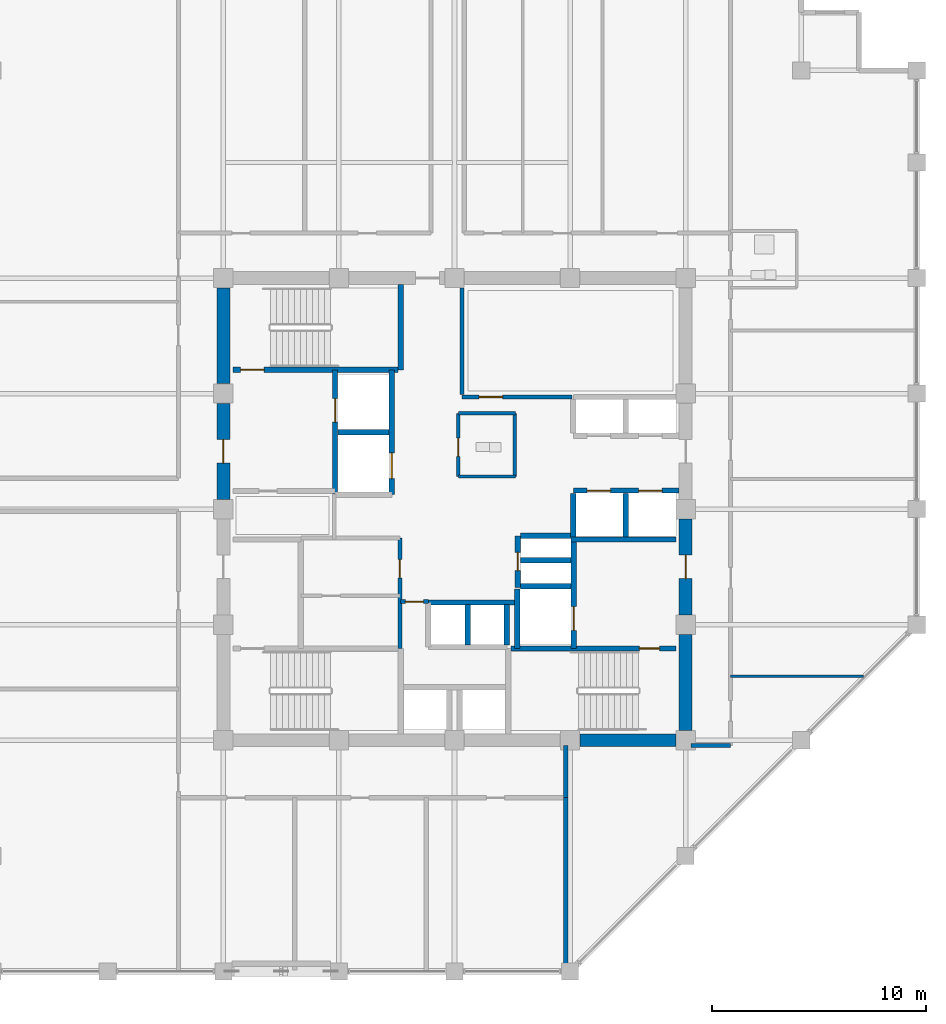
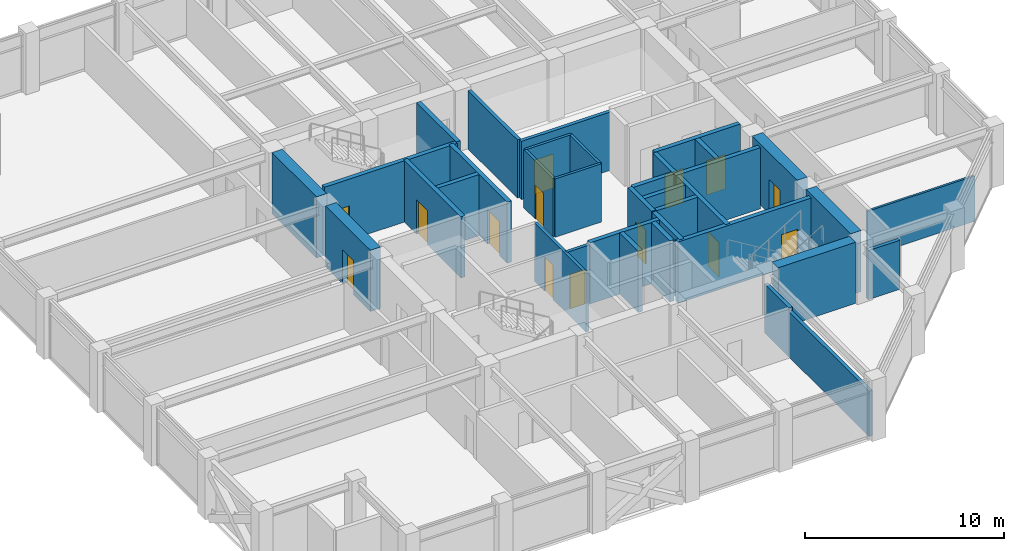
# One storey, part 28 of 32: 36 walls, 14 doors, 14 openings.
"""IFC4 building model written with IfcOpenShell, lengths in metres."""

from ifc_helpers import new_model, si_unit, direction, frame, frame_2d, origin, place, context, subcontext, project, spatial, rectangle, extrude, material, layer, layer_set, type_object, element, fill, save


model = new_model("IFC4")

# Units and contexts
model_context = context("Model", 3, precision=1e-05, world=origin(), true_north=direction((0.0, 1.0)))
body_context = subcontext(model_context, "Body", "Model", "MODEL_VIEW")
ifc_project = project(units=[si_unit("LENGTHUNIT", "METRE"), si_unit("AREAUNIT", "SQUARE_METRE"), si_unit("VOLUMEUNIT", "CUBIC_METRE"), si_unit("PLANEANGLEUNIT", "RADIAN"), si_unit("MASSUNIT", "GRAM", prefix="KILO")], contexts=[model_context])

# Site, building, storey
site_placement = place(None, origin())
site = spatial("IfcSite", under=ifc_project, at=site_placement, CompositionType="ELEMENT")
building_placement = place(site_placement, origin())
building = spatial("IfcBuilding", under=site, at=building_placement, Name="Surkhivell Harbour Commons", CompositionType="ELEMENT")
storey_placement = place(building_placement, frame((0.0, 0.0, 216.0)))
storey = spatial("IfcBuildingStorey", under=building, at=storey_placement, Name="L56", CompositionType="ELEMENT", Elevation=216.0)

# Wall
ifc_material_1 = material(Name="Concrete C60/75", Category="concrete")
ifc_layer_1 = layer(ifc_material_1, 0.60009765625)
ifc_layer_set_1 = layer_set([ifc_layer_1], Name="Concrete C60/75")
wall_type_1 = type_object("IfcWallType", Name="WAL-CORE-600", PredefinedType="SHEAR", material=ifc_layer_set_1)
wall_1_placement = place(storey_placement, frame((10.800048828125, -10.340087890625, 0.0), z_axis=(0.0, 0.0, 1.0), x_axis=(0.0, 1.0, 0.0)))
element("IfcWall", 1, at=wall_1_placement, inside=storey, type_object=wall_type_1, Name="L56 Core Shear Wall East 1", PredefinedType="SHEAR", context=body_context, shape_type="SweptSolid", body=[
    extrude(rectangle(XDim=4.47998046875, YDim=0.60009765625, at=frame_2d((2.239990234375, 0.0))), origin(), (0.0, 0.0, 1.0), 3.75),
])

# Wall, opening, door
wall_2_placement = place(storey_placement, frame((10.800048828125, -4.93994140625, 0.0), z_axis=(0.0, 0.0, 1.0), x_axis=(0.0, 1.0, 0.0)))
wall_2 = element("IfcWall", 2, at=wall_2_placement, inside=storey, type_object=wall_type_1, Name="L56 Core Shear Wall East 2", PredefinedType="SHEAR", context=body_context, shape_type="SweptSolid", body=[
    extrude(rectangle(XDim=4.47998046875, YDim=0.60009765625, at=frame_2d((2.239990234375, 0.0))), origin(), (0.0, 0.0, 1.0), 3.75),
])
opening_1_placement = place(wall_2_placement, frame((1.68994140625, 0.0, 0.0)))
opening_1 = element("IfcOpeningElement", 3, at=opening_1_placement, cuts=wall_2, Name="Opening ID-1", PredefinedType="OPENING", context=body_context, shape_type="SweptSolid", body=[
    extrude(rectangle(XDim=1.10009765625, YDim=2.10009765625, at=frame_2d((0.550048828125, 1.050048828125))), frame((0.0, 0.31005859375, 0.0), z_axis=(0.0, -1.0, 0.0), x_axis=(1.0, 0.0, 0.0)), (0.0, 0.0, 1.0), 0.6201171875),
])
ifc_material_2 = material(Name="Hardwood-veneered fire-rated door leaf", Category="wood")
door_type_1 = type_object("IfcDoorType", Name="DOR-FD120-1100", OperationType="NOTDEFINED", PredefinedType="DOOR", material=ifc_material_2)
door_1_placement = place(opening_1_placement, origin())
door_1 = element("IfcDoor", 4, at=door_1_placement, inside=storey, type_object=door_type_1, Name="L56 Firefighting Lobby 2 Corridor Door", OperationType="SINGLE_SWING_RIGHT", OverallHeight=2.10009765625, OverallWidth=1.10009765625, PredefinedType="DOOR", context=body_context, shape_type="SweptSolid", body=[
    extrude(rectangle(XDim=1.10009765625, YDim=2.10009765625, at=frame_2d((0.550048828125, 1.050048828125))), frame((0.0, 0.02490234375, 0.0), z_axis=(0.0, -1.0, 0.0), x_axis=(1.0, 0.0, 0.0)), (0.0, 0.0, 1.0), 0.050048828125),
])
fill(opening_1, door_1)

wall_3_placement = place(storey_placement, frame((-10.800048828125, 0.4599609375, 0.0), z_axis=(0.0, 0.0, 1.0), x_axis=(0.0, 1.0, 0.0)))
wall_3 = element("IfcWall", 5, at=wall_3_placement, inside=storey, type_object=wall_type_1, Name="L56 Core Shear Wall West 3", PredefinedType="SHEAR", context=body_context, shape_type="SweptSolid", body=[
    extrude(rectangle(XDim=4.47998046875, YDim=0.60009765625, at=frame_2d((2.239990234375, 0.0))), origin(), (0.0, 0.0, 1.0), 3.75),
])
opening_2_placement = place(wall_3_placement, frame((1.68994140625, 0.0, 0.0)))
opening_2 = element("IfcOpeningElement", 6, at=opening_2_placement, cuts=wall_3, Name="Opening ID-1", PredefinedType="OPENING", context=body_context, shape_type="SweptSolid", body=[
    extrude(rectangle(XDim=1.10009765625, YDim=2.10009765625, at=frame_2d((0.550048828125, 1.050048828125))), frame((0.0, 0.31005859375, 0.0), z_axis=(0.0, -1.0, 0.0), x_axis=(1.0, 0.0, 0.0)), (0.0, 0.0, 1.0), 0.6201171875),
])
door_2_placement = place(opening_2_placement, origin())
door_2 = element("IfcDoor", 7, at=door_2_placement, inside=storey, type_object=door_type_1, Name="L56 Firefighting Lobby 1 Corridor Door", OperationType="SINGLE_SWING_LEFT", OverallHeight=2.10009765625, OverallWidth=1.10009765625, PredefinedType="DOOR", context=body_context, shape_type="SweptSolid", body=[
    extrude(rectangle(XDim=1.10009765625, YDim=2.10009765625, at=frame_2d((0.550048828125, 1.050048828125))), frame((0.0, 0.02490234375, 0.0), z_axis=(0.0, -1.0, 0.0), x_axis=(1.0, 0.0, 0.0)), (0.0, 0.0, 1.0), 0.050048828125),
])
fill(opening_2, door_2)

# Walls
for number, where, z_axis, x_axis, name in (
    (8, (5.860107421875, -10.800048828125, 0.0), (0.0, 0.0, 1.0), (1.0, 0.0, 0.0), "L56 Core Shear Wall South 4"),
    (9, (-10.800048828125, 5.860107421875, 0.0), (0.0, 0.0, 1.0), (0.0, 1.0, 0.0), "L56 Core Shear Wall West 4"),
):
    element("IfcWall", number, at=place(storey_placement, frame(where, z_axis=z_axis, x_axis=x_axis)), inside=storey, type_object=wall_type_1, Name=name, PredefinedType="SHEAR", context=body_context, shape_type="SweptSolid", body=[
        extrude(rectangle(XDim=4.47998046875, YDim=0.60009765625, at=frame_2d((2.239990234375, 0.0))), origin(), (0.0, 0.0, 1.0), 3.75),
    ])
ifc_material_3 = material(Name="Moisture-resistant acoustic stud partition", Category="other")
ifc_layer_2 = layer(ifc_material_3, 0.125)
ifc_layer_set_2 = layer_set([ifc_layer_2], Name="Moisture-resistant acoustic stud partition")
wall_type_2 = type_object("IfcWallType", Name="WAL-INT-125", PredefinedType="PARTITIONING", material=ifc_layer_set_2)
wall_4_placement = place(storey_placement, frame((12.89990234375, -7.800048828125, 0.0), z_axis=(0.0, 0.0, 1.0), x_axis=(1.0, 0.0, 0.0)))
element("IfcWall", 10, at=wall_4_placement, inside=storey, type_object=wall_type_2, Name="L56 East Partition PBOT", PredefinedType="PARTITIONING", context=body_context, shape_type="SweptSolid", body=[
    extrude(rectangle(XDim=6.21533203125, YDim=0.125, at=frame_2d((3.107666015625, 0.0))), origin(), (0.0, 0.0, 1.0), 2.780029296875),
])
ifc_material_4 = material(Name="Twin-stud acoustic fireboard partition", Category="other")
ifc_layer_3 = layer(ifc_material_4, 0.14990234375)
ifc_layer_set_3 = layer_set([ifc_layer_3], Name="Twin-stud acoustic fireboard partition")
wall_type_3 = type_object("IfcWallType", Name="WAL-INT-150", PredefinedType="PARTITIONING", material=ifc_layer_set_3)
wall_5_placement = place(storey_placement, frame((2.820068359375, 1.52001953125, 0.0), z_axis=(0.0, 0.0, 1.0), x_axis=(0.0, 1.0, 0.0)))
element("IfcWall", 11, at=wall_5_placement, inside=storey, type_object=wall_type_3, Name="L56 Core Accessible WC East Wall", PredefinedType="PARTITIONING", context=body_context, shape_type="SweptSolid", body=[
    extrude(rectangle(XDim=2.9599609375, YDim=0.14990234375, at=frame_2d((1.47998046875, 0.0))), origin(), (0.0, 0.0, 1.0), 3.570068359375),
])
for number, where, z_axis, x_axis, name in (
    (12, (0.179931640625, 4.47998046875, 0.0), (0.0, 0.0, 1.0), (1.0, 0.0, 0.0), "L56 Core Accessible WC North Wall"),
    (13, (0.179931640625, 1.52001953125, 0.0), (0.0, 0.0, 1.0), (1.0, 0.0, 0.0), "L56 Core Accessible WC South Wall"),
):
    element("IfcWall", number, at=place(storey_placement, frame(where, z_axis=z_axis, x_axis=x_axis)), inside=storey, type_object=wall_type_3, Name=name, PredefinedType="PARTITIONING", context=body_context, shape_type="SweptSolid", body=[
        extrude(rectangle(XDim=2.670166015625, YDim=0.14990234375, at=frame_2d((1.3349609375, 0.0))), origin(), (0.0, 0.0, 1.0), 3.570068359375),
    ])

# Wall, opening, door
wall_6_placement = place(storey_placement, frame((0.179931640625, 1.52001953125, 0.0), z_axis=(0.0, 0.0, 1.0), x_axis=(0.0, 1.0, 0.0)))
wall_6 = element("IfcWall", 14, at=wall_6_placement, inside=storey, type_object=wall_type_3, Name="L56 Core Accessible WC West Wall", PredefinedType="PARTITIONING", context=body_context, shape_type="SweptSolid", body=[
    extrude(rectangle(XDim=2.9599609375, YDim=0.14990234375, at=frame_2d((1.47998046875, 0.0))), origin(), (0.0, 0.0, 1.0), 3.570068359375),
])
opening_3_placement = place(wall_6_placement, frame((0.949951171875, 0.0, 0.0)))
opening_3 = element("IfcOpeningElement", 15, at=opening_3_placement, cuts=wall_6, Name="Opening ID-6", PredefinedType="OPENING", context=body_context, shape_type="SweptSolid", body=[
    extrude(rectangle(XDim=0.85009765625, YDim=2.10009765625, at=frame_2d((0.425048828125, 1.050048828125))), frame((0.0, 0.0849609375, 0.0), z_axis=(0.0, -1.0, 0.0), x_axis=(1.0, 0.0, 0.0)), (0.0, 0.0, 1.0), 0.169921875),
])
door_type_2 = type_object("IfcDoorType", Name="DOR-FD30-850", OperationType="NOTDEFINED", PredefinedType="DOOR", material=ifc_material_2)
door_3_placement = place(opening_3_placement, origin())
door_3 = element("IfcDoor", 16, at=door_3_placement, inside=storey, type_object=door_type_2, Name="L56 Floor Accessible WC Door", OperationType="SINGLE_SWING_RIGHT", OverallHeight=2.10009765625, OverallWidth=0.85009765625, PredefinedType="DOOR", context=body_context, shape_type="SweptSolid", body=[
    extrude(rectangle(XDim=0.85009765625, YDim=2.10009765625, at=frame_2d((0.425048828125, 1.050048828125))), frame((0.0, 0.02490234375, 0.0), z_axis=(0.0, -1.0, 0.0), x_axis=(1.0, 0.0, 0.0)), (0.0, 0.0, 1.0), 0.050048828125),
])
fill(opening_3, door_3)

ifc_material_5 = material(Name="High-density acoustic blockwork fire partition", Category="masonry")
ifc_layer_4 = layer(ifc_material_5, 0.175048828125)
ifc_layer_set_4 = layer_set([ifc_layer_4], Name="High-density acoustic blockwork fire partition")
wall_type_4 = type_object("IfcWallType", Name="WAL-INT-175", PredefinedType="PARTITIONING", material=ifc_layer_set_4)
wall_7_placement = place(storey_placement, frame((-2.550048828125, -6.510009765625, 0.0), z_axis=(0.0, 0.0, 1.0), x_axis=(0.0, 1.0, 0.0)))
wall_7 = element("IfcWall", 17, at=wall_7_placement, inside=storey, type_object=wall_type_4, Name="L56 Core Service Bay East Wall", PredefinedType="PARTITIONING", context=body_context, shape_type="SweptSolid", body=[
    extrude(rectangle(XDim=5.159912109375, YDim=0.175048828125, at=frame_2d((2.580078125, 0.0))), origin(), (0.0, 0.0, 1.0), 3.570068359375),
])
opening_4_placement = place(wall_7_placement, frame((3.300048828125, 0.0, 0.0)))
opening_4 = element("IfcOpeningElement", 18, at=opening_4_placement, cuts=wall_7, Name="Opening ID-6", PredefinedType="OPENING", context=body_context, shape_type="SweptSolid", body=[
    extrude(rectangle(XDim=0.85009765625, YDim=2.10009765625, at=frame_2d((0.425048828125, 1.050048828125))), frame((0.0, 0.097412109375, 0.0), z_axis=(0.0, -1.0, 0.0), x_axis=(1.0, 0.0, 0.0)), (0.0, 0.0, 1.0), 0.195068359375),
])
door_4_placement = place(opening_4_placement, origin())
door_4 = element("IfcDoor", 19, at=door_4_placement, inside=storey, type_object=door_type_2, Name="L56 Core Reading Alcove Door", OperationType="SINGLE_SWING_LEFT", OverallHeight=2.10009765625, OverallWidth=0.85009765625, PredefinedType="DOOR", context=body_context, shape_type="SweptSolid", body=[
    extrude(rectangle(XDim=0.85009765625, YDim=2.10009765625, at=frame_2d((0.425048828125, 1.050048828125))), frame((0.0, 0.02490234375, 0.0), z_axis=(0.0, -1.0, 0.0), x_axis=(1.0, 0.0, 0.0)), (0.0, 0.0, 1.0), 0.050048828125),
])
fill(opening_4, door_4)

wall_8_placement = place(storey_placement, frame((-2.52001953125, -4.320068359375, 0.0), z_axis=(0.0, 0.0, 1.0), x_axis=(1.0, 0.0, 0.0)))
wall_8 = element("IfcWall", 20, at=wall_8_placement, inside=storey, type_object=wall_type_4, Name="L56 High-Rise Lobby North Portal Wall", PredefinedType="PARTITIONING", context=body_context, shape_type="SweptSolid", body=[
    extrude(rectangle(XDim=1.300048828125, YDim=0.175048828125, at=frame_2d((0.64990234375, 0.0))), origin(), (0.0, 0.0, 1.0), 3.570068359375),
])
opening_5_placement = place(wall_8_placement, frame((0.219970703125, 0.0, 0.0)))
opening_5 = element("IfcOpeningElement", 21, at=opening_5_placement, cuts=wall_8, Name="Opening ID-6", PredefinedType="OPENING", context=body_context, shape_type="SweptSolid", body=[
    extrude(rectangle(XDim=0.85009765625, YDim=2.10009765625, at=frame_2d((0.425048828125, 1.050048828125))), frame((0.0, 0.097412109375, 0.0), z_axis=(0.0, -1.0, 0.0), x_axis=(1.0, 0.0, 0.0)), (0.0, 0.0, 1.0), 0.195068359375),
])
door_5_placement = place(opening_5_placement, origin())
door_5 = element("IfcDoor", 22, at=door_5_placement, inside=storey, type_object=door_type_2, Name="L56 High-Rise Lift Lobby North Door", OperationType="SINGLE_SWING_LEFT", OverallHeight=2.10009765625, OverallWidth=0.85009765625, PredefinedType="DOOR", context=body_context, shape_type="SweptSolid", body=[
    extrude(rectangle(XDim=0.85009765625, YDim=2.10009765625, at=frame_2d((0.425048828125, 1.050048828125))), frame((0.0, 0.02490234375, 0.0), z_axis=(0.0, -1.0, 0.0), x_axis=(1.0, 0.0, 0.0)), (0.0, 0.0, 1.0), 0.050048828125),
])
fill(opening_5, door_5)

ifc_material_6 = material(Name="Autoclaved aerated concrete blockwork and fire plaster", Category="masonry")
ifc_layer_5 = layer(ifc_material_6, 0.199951171875)
ifc_layer_set_5 = layer_set([ifc_layer_5], Name="Autoclaved aerated concrete blockwork and fire plaster")
wall_type_5 = type_object("IfcWallType", Name="WAL-INT-200", PredefinedType="PARTITIONING", material=ifc_layer_set_5)
wall_9_placement = place(storey_placement, frame((0.35009765625, 5.239990234375, 0.0), z_axis=(0.0, 0.0, 1.0), x_axis=(1.0, 0.0, 0.0)))
wall_9 = element("IfcWall", 23, at=wall_9_placement, inside=storey, type_object=wall_type_5, Name="L56 Reclaimed Core North Bay South Wall", PredefinedType="PARTITIONING", context=body_context, shape_type="SweptSolid", body=[
    extrude(rectangle(XDim=5.14990234375, YDim=0.199951171875, at=frame_2d((2.574951171875, 0.0))), origin(), (0.0, 0.0, 1.0), 3.570068359375),
])
opening_6_placement = place(wall_9_placement, frame((0.800048828125, 0.0, 0.0)))
opening_6 = element("IfcOpeningElement", 24, at=opening_6_placement, cuts=wall_9, Name="Opening ID-2", PredefinedType="OPENING", context=body_context, shape_type="SweptSolid", body=[
    extrude(rectangle(XDim=1.10009765625, YDim=2.10009765625, at=frame_2d((0.550048828125, 1.050048828125))), frame((0.0, 0.10986328125, 0.0), z_axis=(0.0, -1.0, 0.0), x_axis=(1.0, 0.0, 0.0)), (0.0, 0.0, 1.0), 0.219970703125),
])
door_type_3 = type_object("IfcDoorType", Name="DOR-FD60-1100", OperationType="NOTDEFINED", PredefinedType="DOOR", material=ifc_material_2)
door_6_placement = place(opening_6_placement, origin())
door_6 = element("IfcDoor", 25, at=door_6_placement, inside=storey, type_object=door_type_3, Name="L56 Reading Library Door", OperationType="SINGLE_SWING_LEFT", OverallHeight=2.10009765625, OverallWidth=1.10009765625, PredefinedType="DOOR", context=body_context, shape_type="SweptSolid", body=[
    extrude(rectangle(XDim=1.10009765625, YDim=2.10009765625, at=frame_2d((0.550048828125, 1.050048828125))), frame((0.0, 0.02490234375, 0.0), z_axis=(0.0, -1.0, 0.0), x_axis=(1.0, 0.0, 0.0)), (0.0, 0.0, 1.0), 0.050048828125),
])
fill(opening_6, door_6)

# Walls
wall_10_placement = place(storey_placement, frame((0.35009765625, 5.360107421875, 0.0), z_axis=(0.0, 0.0, 1.0), x_axis=(0.0, 1.0, 0.0)))
element("IfcWall", 26, at=wall_10_placement, inside=storey, type_object=wall_type_5, Name="L56 Reclaimed Core North Bay West Wall", PredefinedType="PARTITIONING", context=body_context, shape_type="SweptSolid", body=[
    extrude(rectangle(XDim=4.97998046875, YDim=0.199951171875, at=frame_2d((2.489990234375, 0.0))), origin(), (0.0, 0.0, 1.0), 3.570068359375),
])
wall_11_placement = place(storey_placement, frame((5.199951171875, -21.5400390625, 0.0), z_axis=(0.0, 0.0, 1.0), x_axis=(0.0, 1.0, 0.0)))
element("IfcWall", 27, at=wall_11_placement, inside=storey, type_object=wall_type_5, Name="L56 South-East Corner Wall", PredefinedType="PARTITIONING", context=body_context, shape_type="SweptSolid", body=[
    extrude(rectangle(XDim=8.06005859375, YDim=0.199951171875, at=frame_2d((4.030029296875, 0.0))), origin(), (0.0, 0.0, 1.0), 2.780029296875),
])
wall_12_placement = place(storey_placement, frame((11.0400390625, -11.0400390625, 0.0), z_axis=(0.0, 0.0, 1.0), x_axis=(1.0, 0.0, 0.0)))
element("IfcWall", 28, at=wall_12_placement, inside=storey, type_object=wall_type_5, Name="L56 Corridor East South Closure Wall", PredefinedType="PARTITIONING", context=body_context, shape_type="SweptSolid", body=[
    extrude(rectangle(XDim=1.85986328125, YDim=0.199951171875, at=frame_2d((0.929931640625, 0.0))), origin(), (0.0, 0.0, 1.0), 3.006103515625),
])
wall_13_placement = place(storey_placement, frame((5.199951171875, -13.47998046875, 0.0), z_axis=(0.0, 0.0, 1.0), x_axis=(0.0, 1.0, 0.0)))
element("IfcWall", 29, at=wall_13_placement, inside=storey, type_object=wall_type_5, Name="L56 Corridor South End Wall", PredefinedType="PARTITIONING", context=body_context, shape_type="SweptSolid", body=[
    extrude(rectangle(XDim=2.43994140625, YDim=0.199951171875, at=frame_2d((1.219970703125, 0.0))), origin(), (0.0, 0.0, 1.0), 3.006103515625),
])

# Wall, opening, door
ifc_material_7 = material(Name="Concrete C50/60", Category="concrete")
ifc_layer_6 = layer(ifc_material_7, 0.25)
ifc_layer_set_6 = layer_set([ifc_layer_6], Name="Concrete C50/60")
wall_type_6 = type_object("IfcWallType", Name="WAL-SHAFT-250", PredefinedType="SHEAR", material=ifc_layer_set_6)
wall_14_placement = place(storey_placement, frame((-5.580078125, 0.719970703125, 0.0), z_axis=(0.0, 0.0, 1.0), x_axis=(0.0, 1.0, 0.0)))
wall_14 = element("IfcWall", 30, at=wall_14_placement, inside=storey, type_object=wall_type_6, Name="L56 Firefighting Lobby 1 East Shaft Wall", PredefinedType="SHEAR", context=body_context, shape_type="SweptSolid", body=[
    extrude(rectangle(XDim=5.7900390625, YDim=0.25, at=frame_2d((2.89501953125, 0.0))), origin(), (0.0, 0.0, 1.0), 3.75),
])
opening_7_placement = place(wall_14_placement, frame((3.35009765625, 0.0, 0.0)))
opening_7 = element("IfcOpeningElement", 31, at=opening_7_placement, cuts=wall_14, Name="Opening LD-1", PredefinedType="OPENING", context=body_context, shape_type="SweptSolid", body=[
    extrude(rectangle(XDim=1.10009765625, YDim=2.10009765625, at=frame_2d((0.550048828125, 1.050048828125))), frame((0.0, 0.135009765625, 0.0), z_axis=(0.0, -1.0, 0.0), x_axis=(1.0, 0.0, 0.0)), (0.0, 0.0, 1.0), 0.27001953125),
])
ifc_material_8 = material(Name="Brushed stainless steel S355", Category="steel")
door_type_4 = type_object("IfcDoorType", Name="DOR-LD-1100", OperationType="SLIDING_TO_LEFT", PredefinedType="DOOR", material=ifc_material_8)
door_7_placement = place(opening_7_placement, origin())
door_7 = element("IfcDoor", 32, at=door_7_placement, inside=storey, type_object=door_type_4, Name="L56 Lift Landing Door LD-FFL1", OperationType="SLIDING_TO_LEFT", OverallHeight=2.10009765625, OverallWidth=1.10009765625, PredefinedType="DOOR", context=body_context, shape_type="SweptSolid", body=[
    extrude(rectangle(XDim=1.10009765625, YDim=2.10009765625, at=frame_2d((0.550048828125, 1.050048828125))), frame((0.0, 0.02490234375, 0.0), z_axis=(0.0, -1.0, 0.0), x_axis=(1.0, 0.0, 0.0)), (0.0, 0.0, 1.0), 0.050048828125),
])
fill(opening_7, door_7)

# Walls
wall_15_placement = place(storey_placement, frame((2.929931640625, -6.510009765625, 0.0), z_axis=(0.0, 0.0, 1.0), x_axis=(0.0, 1.0, 0.0)))
element("IfcWall", 33, at=wall_15_placement, inside=storey, type_object=wall_type_6, Name="L56 FFL2 West Shaft Wall", PredefinedType="SHEAR", context=body_context, shape_type="SweptSolid", body=[
    extrude(rectangle(XDim=2.7900390625, YDim=0.25, at=frame_2d((1.39501953125, 0.0))), origin(), (0.0, 0.0, 1.0), 3.75),
])
wall_16_placement = place(storey_placement, frame((5.43994140625, -1.419921875, 0.0), z_axis=(0.0, 0.0, 1.0), x_axis=(1.0, 0.0, 0.0)))
element("IfcWall", 34, at=wall_16_placement, inside=storey, type_object=wall_type_6, Name="L56 Firefighting Lobby 2 North Wall", PredefinedType="SHEAR", context=body_context, shape_type="SweptSolid", body=[
    extrude(rectangle(XDim=4.900146484375, YDim=0.25, at=frame_2d((2.4501953125, 0.0))), origin(), (0.0, 0.0, 1.0), 3.75),
])
wall_17_placement = place(storey_placement, frame((3.080078125, -3.60009765625, 0.0), z_axis=(0.0, 0.0, 1.0), x_axis=(1.0, 0.0, 0.0)))
element("IfcWall", 35, at=wall_17_placement, inside=storey, type_object=wall_type_6, Name="L56 FFL2 North Shaft Wall", PredefinedType="SHEAR", context=body_context, shape_type="SweptSolid", body=[
    extrude(rectangle(XDim=2.369873046875, YDim=0.25, at=frame_2d((1.18505859375, 0.0))), origin(), (0.0, 0.0, 1.0), 3.75),
])

# Wall, opening, door
wall_18_placement = place(storey_placement, frame((5.580078125, -6.510009765625, 0.0), z_axis=(0.0, 0.0, 1.0), x_axis=(0.0, 1.0, 0.0)))
wall_18 = element("IfcWall", 36, at=wall_18_placement, inside=storey, type_object=wall_type_6, Name="L56 Firefighting Lobby 2 West Shaft Wall", PredefinedType="SHEAR", context=body_context, shape_type="SweptSolid", body=[
    extrude(rectangle(XDim=5.090087890625, YDim=0.25, at=frame_2d((2.544921875, 0.0))), origin(), (0.0, 0.0, 1.0), 3.75),
])
opening_8_placement = place(wall_18_placement, frame((0.85009765625, 0.0, 0.0)))
opening_8 = element("IfcOpeningElement", 37, at=opening_8_placement, cuts=wall_18, Name="Opening LD-1", PredefinedType="OPENING", context=body_context, shape_type="SweptSolid", body=[
    extrude(rectangle(XDim=1.10009765625, YDim=2.10009765625, at=frame_2d((0.550048828125, 1.050048828125))), frame((0.0, 0.135009765625, 0.0), z_axis=(0.0, -1.0, 0.0), x_axis=(1.0, 0.0, 0.0)), (0.0, 0.0, 1.0), 0.27001953125),
])
door_8_placement = place(opening_8_placement, origin())
door_8 = element("IfcDoor", 38, at=door_8_placement, inside=storey, type_object=door_type_4, Name="L56 Lift Landing Door LD-FFL2", OperationType="SLIDING_TO_RIGHT", OverallHeight=2.10009765625, OverallWidth=1.10009765625, PredefinedType="DOOR", context=body_context, shape_type="SweptSolid", body=[
    extrude(rectangle(XDim=1.10009765625, YDim=2.10009765625, at=frame_2d((0.550048828125, 1.050048828125))), frame((0.0, 0.02490234375, 0.0), z_axis=(0.0, -1.0, 0.0), x_axis=(1.0, 0.0, 0.0)), (0.0, 0.0, 1.0), 0.050048828125),
])
fill(opening_8, door_8)

# Walls
for number, where, z_axis, x_axis, name in (
    (39, (0.6201171875, -6.340087890625, 0.0), (0.0, 0.0, 1.0), (0.0, 1.0, 0.0), "L56 High-Rise Side Wall N"),
    (40, (2.449951171875, -6.340087890625, 0.0), (0.0, 0.0, 1.0), (0.0, 1.0, 0.0), "L56 High-Rise Side Wall N"),
):
    element("IfcWall", number, at=place(storey_placement, frame(where, z_axis=z_axis, x_axis=x_axis)), inside=storey, type_object=wall_type_6, Name=name, PredefinedType="SHEAR", context=body_context, shape_type="SweptSolid", body=[
        extrude(rectangle(XDim=1.880126953125, YDim=0.25, at=frame_2d((0.93994140625, 0.0))), origin(), (0.0, 0.0, 1.0), 3.75),
    ])
wall_19_placement = place(storey_placement, frame((-1.219970703125, -4.360107421875, 0.0), z_axis=(0.0, 0.0, 1.0), x_axis=(1.0, 0.0, 0.0)))
element("IfcWall", 41, at=wall_19_placement, inside=storey, type_object=wall_type_6, Name="L56 High-Rise North Back Shaft Wall", PredefinedType="SHEAR", context=body_context, shape_type="SweptSolid", body=[
    extrude(rectangle(XDim=4.030029296875, YDim=0.25, at=frame_2d((2.01513671875, 0.0))), origin(), (0.0, 0.0, 1.0), 3.75),
])
for number, where, z_axis, x_axis, name in (
    (42, (5.550048828125, -1.300048828125, 0.0), (0.0, 0.0, 1.0), (0.0, 1.0, 0.0), "L56 Mid-Rise Shaft Side Wall S"),
    (43, (8.0, -1.300048828125, 0.0), (0.0, 0.0, 1.0), (0.0, 1.0, 0.0), "L56 Mid-Rise Shaft Side Wall S"),
):
    element("IfcWall", number, at=place(storey_placement, frame(where, z_axis=z_axis, x_axis=x_axis)), inside=storey, type_object=wall_type_6, Name=name, PredefinedType="SHEAR", context=body_context, shape_type="SweptSolid", body=[
        extrude(rectangle(XDim=2.0400390625, YDim=0.25, at=frame_2d((1.02001953125, 0.0))), origin(), (0.0, 0.0, 1.0), 3.75),
    ])

# Wall, openings, doors
wall_20_placement = place(storey_placement, frame((5.550048828125, 0.8701171875, 0.0), z_axis=(0.0, 0.0, 1.0), x_axis=(1.0, 0.0, 0.0)))
wall_20 = element("IfcWall", 44, at=wall_20_placement, inside=storey, type_object=wall_type_6, Name="L56 Mid-Rise South Front Shaft Wall", PredefinedType="SHEAR", context=body_context, shape_type="SweptSolid", body=[
    extrude(rectangle(XDim=4.949951171875, YDim=0.25, at=frame_2d((2.47509765625, 0.0))), origin(), (0.0, 0.0, 1.0), 3.75),
])
opening_9_placement = place(wall_20_placement, frame((0.64990234375, 0.0, 0.0)))
opening_9 = element("IfcOpeningElement", 45, at=opening_9_placement, cuts=wall_20, Name="Opening LD-1", PredefinedType="OPENING", context=body_context, shape_type="SweptSolid", body=[
    extrude(rectangle(XDim=1.10009765625, YDim=2.10009765625, at=frame_2d((0.550048828125, 1.050048828125))), frame((0.0, 0.135009765625, 0.0), z_axis=(0.0, -1.0, 0.0), x_axis=(1.0, 0.0, 0.0)), (0.0, 0.0, 1.0), 0.27001953125),
])
opening_10_placement = place(wall_20_placement, frame((3.050048828125, 0.0, 0.0)))
opening_10 = element("IfcOpeningElement", 46, at=opening_10_placement, cuts=wall_20, Name="Opening LD-1", PredefinedType="OPENING", context=body_context, shape_type="SweptSolid", body=[
    extrude(rectangle(XDim=1.10009765625, YDim=2.10009765625, at=frame_2d((0.550048828125, 1.050048828125))), frame((0.0, 0.135009765625, 0.0), z_axis=(0.0, -1.0, 0.0), x_axis=(1.0, 0.0, 0.0)), (0.0, 0.0, 1.0), 0.27001953125),
])
door_9_placement = place(opening_9_placement, origin())
door_9 = element("IfcDoor", 47, at=door_9_placement, inside=storey, type_object=door_type_4, Name="L56 Lift Landing Door LD-PM3", OperationType="SLIDING_TO_RIGHT", OverallHeight=2.10009765625, OverallWidth=1.10009765625, PredefinedType="DOOR", context=body_context, shape_type="SweptSolid", body=[
    extrude(rectangle(XDim=1.10009765625, YDim=2.10009765625, at=frame_2d((0.550048828125, 1.050048828125))), frame((0.0, 0.02490234375, 0.0), z_axis=(0.0, -1.0, 0.0), x_axis=(1.0, 0.0, 0.0)), (0.0, 0.0, 1.0), 0.050048828125),
])
fill(opening_9, door_9)
door_10_placement = place(opening_10_placement, origin())
door_10 = element("IfcDoor", 48, at=door_10_placement, inside=storey, type_object=door_type_4, Name="L56 Lift Landing Door LD-PM4", OperationType="SLIDING_TO_RIGHT", OverallHeight=2.10009765625, OverallWidth=1.10009765625, PredefinedType="DOOR", context=body_context, shape_type="SweptSolid", body=[
    extrude(rectangle(XDim=1.10009765625, YDim=2.10009765625, at=frame_2d((0.550048828125, 1.050048828125))), frame((0.0, 0.02490234375, 0.0), z_axis=(0.0, -1.0, 0.0), x_axis=(1.0, 0.0, 0.0)), (0.0, 0.0, 1.0), 0.050048828125),
])
fill(opening_10, door_10)

# Walls
for number, where, z_axis, x_axis, name in (
    (49, (3.080078125, -2.3798828125, 0.0), (0.0, 0.0, 1.0), (1.0, 0.0, 0.0), "L56 Riser Divider Wall"),
    (50, (3.080078125, -1.25, 0.0), (0.0, 0.0, 1.0), (1.0, 0.0, 0.0), "L56 Riser North Wall"),
):
    element("IfcWall", number, at=place(storey_placement, frame(where, z_axis=z_axis, x_axis=x_axis)), inside=storey, type_object=wall_type_6, Name=name, PredefinedType="SHEAR", context=body_context, shape_type="SweptSolid", body=[
        extrude(rectangle(XDim=2.369873046875, YDim=0.25, at=frame_2d((1.18505859375, 0.0))), origin(), (0.0, 0.0, 1.0), 3.75),
    ])

# Wall, opening, door
wall_21_placement = place(storey_placement, frame((2.949951171875, -3.64990234375, 0.0), z_axis=(0.0, 0.0, 1.0), x_axis=(0.0, 1.0, 0.0)))
wall_21 = element("IfcWall", 51, at=wall_21_placement, inside=storey, type_object=wall_type_6, Name="L56 Riser Shaft West Wall", PredefinedType="SHEAR", context=body_context, shape_type="SweptSolid", body=[
    extrude(rectangle(XDim=2.39990234375, YDim=0.25, at=frame_2d((1.199951171875, 0.0))), origin(), (0.0, 0.0, 1.0), 3.75),
])
opening_11_placement = place(wall_21_placement, frame((0.77490234375, 0.0, 0.0)))
opening_11 = element("IfcOpeningElement", 52, at=opening_11_placement, cuts=wall_21, Name="Opening ID-6", PredefinedType="OPENING", context=body_context, shape_type="SweptSolid", body=[
    extrude(rectangle(XDim=0.85009765625, YDim=2.10009765625, at=frame_2d((0.425048828125, 1.050048828125))), frame((0.0, 0.135009765625, 0.0), z_axis=(0.0, -1.0, 0.0), x_axis=(1.0, 0.0, 0.0)), (0.0, 0.0, 1.0), 0.27001953125),
])
door_11_placement = place(opening_11_placement, origin())
door_11 = element("IfcDoor", 53, at=door_11_placement, inside=storey, type_object=door_type_2, Name="L56 Electrical Riser Access Door", OperationType="SINGLE_SWING_LEFT", OverallHeight=2.10009765625, OverallWidth=0.85009765625, PredefinedType="DOOR", context=body_context, shape_type="SweptSolid", body=[
    extrude(rectangle(XDim=0.85009765625, YDim=2.10009765625, at=frame_2d((0.425048828125, 1.050048828125))), frame((0.0, 0.02490234375, 0.0), z_axis=(0.0, -1.0, 0.0), x_axis=(1.0, 0.0, 0.0)), (0.0, 0.0, 1.0), 0.050048828125),
])
fill(opening_11, door_11)

# Wall
wall_22_placement = place(storey_placement, frame((-2.510009765625, 6.510009765625, 0.0), z_axis=(0.0, 0.0, 1.0), x_axis=(0.0, 1.0, 0.0)))
element("IfcWall", 54, at=wall_22_placement, inside=storey, type_object=wall_type_6, Name="L56 Stair ST1 East Shear Wall", PredefinedType="SHEAR", context=body_context, shape_type="SweptSolid", body=[
    extrude(rectangle(XDim=3.989990234375, YDim=0.25, at=frame_2d((1.9951171875, 0.0))), origin(), (0.0, 0.0, 1.0), 3.75),
])

# Wall, opening, door
wall_23_placement = place(storey_placement, frame((-10.340087890625, 6.510009765625, 0.0), z_axis=(0.0, 0.0, 1.0), x_axis=(1.0, 0.0, 0.0)))
wall_23 = element("IfcWall", 55, at=wall_23_placement, inside=storey, type_object=wall_type_6, Name="L56 Stair ST1 South Shear Wall", PredefinedType="SHEAR", context=body_context, shape_type="SweptSolid", body=[
    extrude(rectangle(XDim=7.7001953125, YDim=0.25, at=frame_2d((3.85009765625, 0.0))), origin(), (0.0, 0.0, 1.0), 3.75),
])
opening_12_placement = place(wall_23_placement, frame((0.35009765625, 0.0, 0.0)))
opening_12 = element("IfcOpeningElement", 56, at=opening_12_placement, cuts=wall_23, Name="Opening ID-2", PredefinedType="OPENING", context=body_context, shape_type="SweptSolid", body=[
    extrude(rectangle(XDim=1.10009765625, YDim=2.10009765625, at=frame_2d((0.550048828125, 1.050048828125))), frame((0.0, 0.135009765625, 0.0), z_axis=(0.0, -1.0, 0.0), x_axis=(1.0, 0.0, 0.0)), (0.0, 0.0, 1.0), 0.27001953125),
])
door_12_placement = place(opening_12_placement, origin())
door_12 = element("IfcDoor", 57, at=door_12_placement, inside=storey, type_object=door_type_3, Name="L56 Stair ST1 Exit Door", OperationType="SINGLE_SWING_LEFT", OverallHeight=2.10009765625, OverallWidth=1.10009765625, PredefinedType="DOOR", context=body_context, shape_type="SweptSolid", body=[
    extrude(rectangle(XDim=1.10009765625, YDim=2.10009765625, at=frame_2d((0.550048828125, 1.050048828125))), frame((0.0, 0.02490234375, 0.0), z_axis=(0.0, -1.0, 0.0), x_axis=(1.0, 0.0, 0.0)), (0.0, 0.0, 1.0), 0.050048828125),
])
fill(opening_12, door_12)

wall_24_placement = place(storey_placement, frame((2.639892578125, -6.510009765625, 0.0), z_axis=(0.0, 0.0, 1.0), x_axis=(1.0, 0.0, 0.0)))
wall_24 = element("IfcWall", 58, at=wall_24_placement, inside=storey, type_object=wall_type_6, Name="L56 Stair ST2 North Shear Wall", PredefinedType="SHEAR", context=body_context, shape_type="SweptSolid", body=[
    extrude(rectangle(XDim=7.7001953125, YDim=0.25, at=frame_2d((3.85009765625, 0.0))), origin(), (0.0, 0.0, 1.0), 3.75),
])
opening_13_placement = place(wall_24_placement, frame((6.0, 0.0, 0.0)))
opening_13 = element("IfcOpeningElement", 59, at=opening_13_placement, cuts=wall_24, Name="Opening ID-4", PredefinedType="OPENING", context=body_context, shape_type="SweptSolid", body=[
    extrude(rectangle(XDim=0.949951171875, YDim=2.10009765625, at=frame_2d((0.47509765625, 1.050048828125))), frame((0.0, 0.135009765625, 0.0), z_axis=(0.0, -1.0, 0.0), x_axis=(1.0, 0.0, 0.0)), (0.0, 0.0, 1.0), 0.27001953125),
])
door_type_5 = type_object("IfcDoorType", Name="DOR-FD60-950", OperationType="NOTDEFINED", PredefinedType="DOOR", material=ifc_material_2)
door_13_placement = place(opening_13_placement, origin())
door_13 = element("IfcDoor", 60, at=door_13_placement, inside=storey, type_object=door_type_5, Name="L56 Stair ST2 Exit Door", OperationType="SINGLE_SWING_RIGHT", OverallHeight=2.10009765625, OverallWidth=0.949951171875, PredefinedType="DOOR", context=body_context, shape_type="SweptSolid", body=[
    extrude(rectangle(XDim=0.949951171875, YDim=2.10009765625, at=frame_2d((0.47509765625, 1.050048828125))), frame((0.0, 0.02490234375, 0.0), z_axis=(0.0, -1.0, 0.0), x_axis=(1.0, 0.0, 0.0)), (0.0, 0.0, 1.0), 0.050048828125),
])
fill(opening_13, door_13)

wall_25_placement = place(storey_placement, frame((-2.929931640625, 0.679931640625, 0.0), z_axis=(0.0, 0.0, 1.0), x_axis=(0.0, 1.0, 0.0)))
wall_25 = element("IfcWall", 61, at=wall_25_placement, inside=storey, type_object=wall_type_6, Name="L56 Service and Fire Lift East Shaft Wall", PredefinedType="SHEAR", context=body_context, shape_type="SweptSolid", body=[
    extrude(rectangle(XDim=5.830078125, YDim=0.25, at=frame_2d((2.9150390625, 0.0))), origin(), (0.0, 0.0, 1.0), 3.75),
])
opening_14_placement = place(wall_25_placement, frame((0.75, 0.0, 0.0)))
opening_14 = element("IfcOpeningElement", 62, at=opening_14_placement, cuts=wall_25, Name="Opening LD-2", PredefinedType="OPENING", context=body_context, shape_type="SweptSolid", body=[
    extrude(rectangle(XDim=1.199951171875, YDim=2.10009765625, at=frame_2d((0.60009765625, 1.050048828125))), frame((0.0, 0.135009765625, 0.0), z_axis=(0.0, -1.0, 0.0), x_axis=(1.0, 0.0, 0.0)), (0.0, 0.0, 1.0), 0.27001953125),
])
door_type_6 = type_object("IfcDoorType", Name="DOR-LD-1200", OperationType="SLIDING_TO_LEFT", PredefinedType="DOOR", material=ifc_material_8)
door_14_placement = place(opening_14_placement, origin())
door_14 = element("IfcDoor", 63, at=door_14_placement, inside=storey, type_object=door_type_6, Name="L56 Lift Landing Door LD-SVL1", OperationType="SLIDING_TO_LEFT", OverallHeight=2.10009765625, OverallWidth=1.199951171875, PredefinedType="DOOR", context=body_context, shape_type="SweptSolid", body=[
    extrude(rectangle(XDim=1.199951171875, YDim=2.10009765625, at=frame_2d((0.60009765625, 1.050048828125))), frame((0.0, 0.02490234375, 0.0), z_axis=(0.0, -1.0, 0.0), x_axis=(1.0, 0.0, 0.0)), (0.0, 0.0, 1.0), 0.050048828125),
])
fill(opening_14, door_14)

# Wall
wall_26_placement = place(storey_placement, frame((-5.449951171875, 3.60009765625, 0.0), z_axis=(0.0, 0.0, 1.0), x_axis=(1.0, 0.0, 0.0)))
element("IfcWall", 64, at=wall_26_placement, inside=storey, type_object=wall_type_6, Name="L56 FFL1/SVL1 Shaft Divider", PredefinedType="SHEAR", context=body_context, shape_type="SweptSolid", body=[
    extrude(rectangle(XDim=2.389892578125, YDim=0.25, at=frame_2d((1.19482421875, 0.0))), origin(), (0.0, 0.0, 1.0), 3.75),
])

save(model, "model.ifc")
